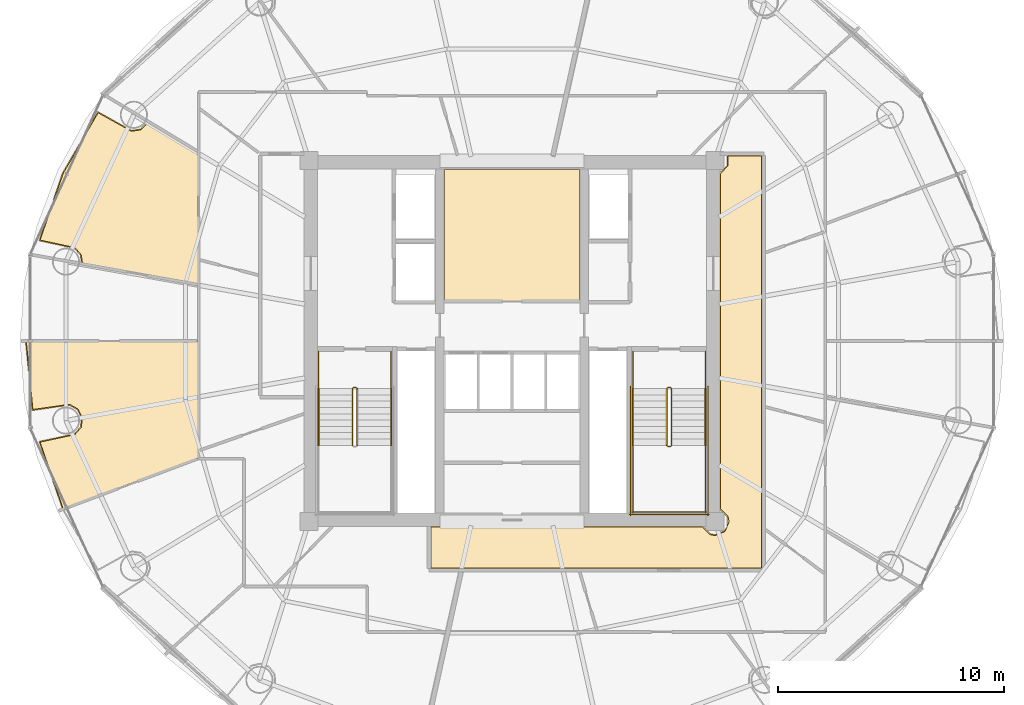
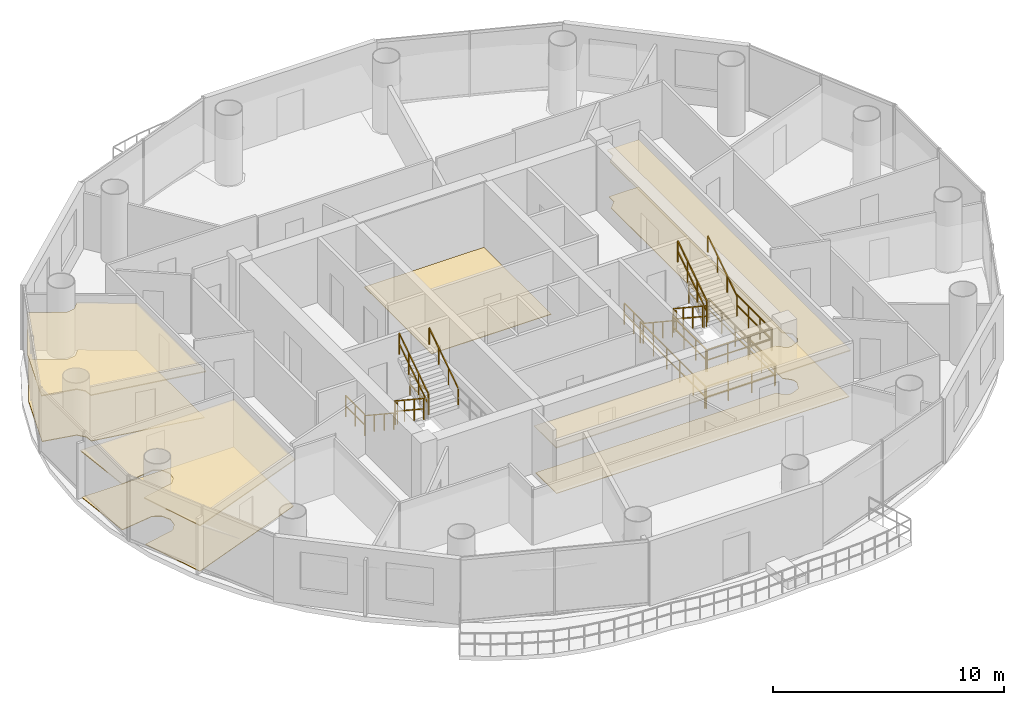
# One storey, part 25 of 26: 21 railings, 7 coverings.
"""IFC4 building model written with IfcOpenShell, lengths in metres."""

import ifcopenshell
import ifcopenshell.guid

model = None  # the IFC model being written
_history = None  # IfcOwnerHistory: only IFC2X3 demands one
_inside = {}  # id of a spatial element -> (the spatial element, [elements in it])
_under = {}  # id of a project, library or spatial element -> (it, [spatial elements below it])
_declared = {}  # id of a project -> (the project, [libraries it declares])
_typed = {}  # id of a type object -> (the type object, [elements of that type])
_made_of = {}  # id of a material, layer set ... -> (it, [elements and type objects made of it])


def new_model(schema):
    """Start an empty IFC model of exactly this schema.

    Asked for "IFC4X3", IfcOpenShell would pick the latest addendum, in which some entities
    have other attributes; the version numbers below select the first issue.
    IFC2X3 requires an IfcOwnerHistory on every rooted entity: one is made here for all.
    """
    global model, _history
    if schema == "IFC4X3":
        model = ifcopenshell.file(schema_version=(4, 3, 0, 0))
    else:
        model = ifcopenshell.file(schema=schema)
    _inside.clear()
    _under.clear()
    _declared.clear()
    _typed.clear()
    _made_of.clear()
    _history = None
    if model.schema == "IFC2X3":
        org = make("IfcOrganization", Name="unknown")
        user = make(
            "IfcPersonAndOrganization",
            ThePerson=make("IfcPerson", FamilyName="unknown"),
            TheOrganization=org,
        )
        app = make(
            "IfcApplication",
            ApplicationDeveloper=org,
            Version="unknown",
            ApplicationFullName="unknown",
            ApplicationIdentifier="unknown",
        )
        _history = make(
            "IfcOwnerHistory",
            OwningUser=user,
            OwningApplication=app,
            ChangeAction="ADDED",
            CreationDate=0,
        )
    return model


def make(cls, **values):
    """One entity of the class cls with the attributes given. An attribute that is None is left unset."""
    return model.create_entity(
        cls, **{name: value for name, value in values.items() if value is not None}
    )


def rooted(cls, **values):
    """An entity with a GlobalId (a new one), such as an element, a storey or a relation."""
    return make(cls, GlobalId=ifcopenshell.guid.new(), OwnerHistory=_history, **values)


def si_unit(unit_type, name, prefix=None):
    """IfcSIUnit, for example si_unit("LENGTHUNIT", "METRE", prefix="MILLI")."""
    return make("IfcSIUnit", UnitType=unit_type, Prefix=prefix, Name=name)


def assignment(units):
    """IfcUnitAssignment: the units of a project."""
    return None if units is None else make("IfcUnitAssignment", Units=units)


def point(xyz):
    """IfcCartesianPoint."""
    return None if xyz is None else make("IfcCartesianPoint", Coordinates=xyz)


def direction(xyz):
    """IfcDirection."""
    return None if xyz is None else make("IfcDirection", DirectionRatios=xyz)


def frame(location, z_axis=None, x_axis=None):
    """IfcAxis2Placement3D, a coordinate frame: its origin and axes. An axis left out is left unset."""
    return make(
        "IfcAxis2Placement3D",
        Location=point(location),
        Axis=direction(z_axis),
        RefDirection=direction(x_axis),
    )


def frame_2d(location, x_axis=None):
    """IfcAxis2Placement2D, a coordinate frame in the plane: its origin and x axis."""
    return make(
        "IfcAxis2Placement2D", Location=point(location), RefDirection=direction(x_axis)
    )


def origin():
    """The frame at (0, 0, 0) with its axes left unset."""
    return frame((0.0, 0.0, 0.0))


def origin_2d():
    """The frame at (0, 0) in the plane with its x axis left unset."""
    return frame_2d((0.0, 0.0))


def place(relative_to, where):
    """IfcLocalPlacement: puts the frame where relative to a parent placement (None: the world)."""
    return make(
        "IfcLocalPlacement", PlacementRelTo=relative_to, RelativePlacement=where
    )


def context(
    kind, dimensions, precision=None, world=None, true_north=None, identifier=None
):
    """IfcGeometricRepresentationContext, for example the 3D "Model" context."""
    return make(
        "IfcGeometricRepresentationContext",
        ContextIdentifier=identifier,
        ContextType=kind,
        CoordinateSpaceDimension=dimensions,
        Precision=precision,
        WorldCoordinateSystem=world,
        TrueNorth=true_north,
    )


def subcontext(parent, identifier, kind, view, scale=None):
    """IfcGeometricRepresentationSubContext, for example "Body" below "Model"."""
    return make(
        "IfcGeometricRepresentationSubContext",
        ContextIdentifier=identifier,
        ContextType=kind,
        ParentContext=parent,
        TargetScale=scale,
        TargetView=view,
    )


def project(units=None, contexts=None):
    """IfcProject with its units and contexts."""
    return rooted(
        "IfcProject",
        Name="project",
        RepresentationContexts=contexts,
        UnitsInContext=assignment(units),
    )


def spatial(cls, under=None, at=None, **own):
    """A site, building, storey or space (cls), placed at a placement, below another one or the project."""
    s = rooted(cls, ObjectPlacement=at, **own)
    if under is not None:
        _under.setdefault(under.id(), (under, []))[1].append(s)
    return s


def polyline(points):
    """IfcPolyline through the points."""
    return make("IfcPolyline", Points=[point(p) for p in points])


def profile(cls, at=None, kind="AREA", **sizes):
    """A parametric profile (cls). Its sizes go by their IFC names, for example OverallWidth=200.0."""
    return make(cls, ProfileType=kind, Position=at, **sizes)


def rectangle(**sizes):
    """IfcRectangleProfileDef."""
    return profile("IfcRectangleProfileDef", **sizes)


def outline(outer, holes=None, kind="AREA"):
    """IfcArbitraryClosedProfileDef: a profile drawn as a closed curve; with holes, ...WithVoids."""
    if holes is None:
        return make("IfcArbitraryClosedProfileDef", ProfileType=kind, OuterCurve=outer)
    return make(
        "IfcArbitraryProfileDefWithVoids",
        ProfileType=kind,
        OuterCurve=outer,
        InnerCurves=holes,
    )


def extrude(swept, where, along, depth):
    """IfcExtrudedAreaSolid: the profile swept, set in the frame where, extruded along a direction by depth."""
    return make(
        "IfcExtrudedAreaSolid",
        SweptArea=swept,
        Position=where,
        ExtrudedDirection=direction(along),
        Depth=depth,
    )


def shape(context_of_items, identifier, shape_type, items):
    """IfcShapeRepresentation: the items that make up one representation, for example the "Body"."""
    return make(
        "IfcShapeRepresentation",
        ContextOfItems=context_of_items,
        RepresentationIdentifier=identifier,
        RepresentationType=shape_type,
        Items=items,
    )


def material(Name=None, Category=None):
    """IfcMaterial."""
    return make("IfcMaterial", Name=Name, Category=Category)


def layer(
    of_material, thickness, ventilated=None, Name=None, Category=None, Priority=None
):
    """IfcMaterialLayer: one layer of a wall or slab, of a material (None: an air gap)."""
    return make(
        "IfcMaterialLayer",
        Material=of_material,
        LayerThickness=thickness,
        IsVentilated=ventilated,
        Name=Name,
        Category=Category,
        Priority=Priority,
    )


def layer_set(layers, Name=None):
    """IfcMaterialLayerSet."""
    return make("IfcMaterialLayerSet", MaterialLayers=layers, LayerSetName=Name)


def made_of(thing, what):
    """Note that an element or type object is made of a material, layer set ...; save() writes the relation."""
    if what is not None:
        _made_of.setdefault(what.id(), (what, []))[1].append(thing)
    return thing


def type_object(cls, material=None, **own):
    """A type object (cls), such as IfcWallType, which elements share."""
    return made_of(rooted(cls, **own), material)


def element(
    cls,
    number,
    at=None,
    inside=None,
    cuts=None,
    type_object=None,
    material=None,
    context=None,
    identifier="Body",
    shape_type=None,
    held_by="IfcProductDefinitionShape",
    body=None,
    shapes=None,
    **own,
):
    """One element of the class cls, such as IfcWall. Its Tag is "e" and its number.

    at: its placement. inside: the storey or other place that contains it. cuts: it is an
    opening in that element (IfcRelVoidsElement). A single representation is given by context,
    identifier, shape_type and body (its items); several are given by shapes. held_by: the class
    of the entity that holds the representations. save() writes the other relations.
    """
    e = rooted(cls, Tag="e%d" % number, ObjectPlacement=at, **own)
    if body is not None:
        shapes = [shape(context, identifier, shape_type, body)]
    if shapes is not None:
        e.Representation = make(held_by, Representations=shapes)
    if inside is not None:
        _inside.setdefault(inside.id(), (inside, []))[1].append(e)
    if cuts is not None:
        rooted(
            "IfcRelVoidsElement", RelatingBuildingElement=cuts, RelatedOpeningElement=e
        )
    if type_object is not None:
        _typed.setdefault(type_object.id(), (type_object, []))[1].append(e)
    return made_of(e, material)


def aggregate(whole, parts):
    """IfcRelAggregates: a whole, such as a stair, and the parts it consists of."""
    return rooted("IfcRelAggregates", RelatingObject=whole, RelatedObjects=parts)


def save(model, path):
    """Write the relations noted so far, then the file.

    IfcRelAggregates (storeys below a building ...), IfcRelContainedInSpatialStructure (elements
    in a storey), IfcRelDefinesByType, IfcRelAssociatesMaterial and IfcRelDeclares: one each for
    every whole, place, type object, material and project.
    """
    for whole, parts in _under.values():
        aggregate(whole, parts)
    for where, things in _inside.values():
        rooted(
            "IfcRelContainedInSpatialStructure",
            RelatedElements=things,
            RelatingStructure=where,
        )
    for kind, things in _typed.values():
        rooted("IfcRelDefinesByType", RelatedObjects=things, RelatingType=kind)
    for what, things in _made_of.values():
        rooted("IfcRelAssociatesMaterial", RelatedObjects=things, RelatingMaterial=what)
    for by, libraries in _declared.values():
        rooted("IfcRelDeclares", RelatingContext=by, RelatedDefinitions=libraries)
    model.write(path)


model = new_model("IFC4")

# Units and contexts
model_context = context("Model", 3, precision=1e-05, world=origin(), true_north=direction((-0.2419218956, 0.970295726276)))
body_context = subcontext(model_context, "Body", "Model", "MODEL_VIEW")
ifc_project = project(units=[si_unit("LENGTHUNIT", "METRE"), si_unit("AREAUNIT", "SQUARE_METRE"), si_unit("VOLUMEUNIT", "CUBIC_METRE"), si_unit("PLANEANGLEUNIT", "RADIAN"), si_unit("MASSUNIT", "GRAM", prefix="KILO")], contexts=[model_context])

# Site, building, storey
site_placement = place(None, origin())
site = spatial("IfcSite", under=ifc_project, at=site_placement, CompositionType="ELEMENT")
building_placement = place(site_placement, origin())
building = spatial("IfcBuilding", under=site, at=building_placement, Name="Cobrevalo Terracotta Tower", CompositionType="ELEMENT")
storey_placement = place(building_placement, frame((0.0, 0.0, 231.89990234375)))
storey = spatial("IfcBuildingStorey", under=building, at=storey_placement, Name="L61", CompositionType="ELEMENT", Elevation=231.89990234375)

# Coverings
ifc_material_1 = material(Name="Engineered Brazilian hardwood flooring", Category="wood")
ifc_layer_1 = layer(ifc_material_1, 0.028076171875)
ifc_layer_set_1 = layer_set([ifc_layer_1], Name="Engineered Brazilian hardwood flooring")
covering_type_1 = type_object("IfcCoveringType", Name="Engineered Hardwood Suite Flooring 28", PredefinedType="FLOORING", material=ifc_layer_set_1)
covering_1_placement = place(storey_placement, origin())
element("IfcCovering", 1, at=covering_1_placement, inside=storey, type_object=covering_type_1, Name="Flat L61A Principal Guest Bedroom floor finish", PredefinedType="FLOORING", context=body_context, shape_type="SweptSolid", body=[
    extrude(outline(polyline([(18.117919921875, 34.23095703125), (19.662109375, 36.91357421875), (21.1376953125, 36.095947265625), (21.562744140625, 36.1591796875), (21.903564453125, 36.495849609375), (24.094970703125, 35.172607421875), (24.094970703125, 29.31982421875), (18.9697265625, 30.240966796875), (18.9150390625, 30.6181640625), (18.635986328125, 30.94482421875), (17.09228515625, 31.277099609375), (18.117919921875, 34.23095703125)])), origin(), (0.0, 0.0, 1.0), 0.030029296875),
])
covering_2_placement = place(storey_placement, origin())
element("IfcCovering", 2, at=covering_2_placement, inside=storey, type_object=covering_type_1, Name="Flat L61A Principal Guest Bedroom floor finish", PredefinedType="FLOORING", context=body_context, shape_type="SweptSolid", body=[
    extrude(outline(polyline([(18.114501953125, 19.3779296875), (17.09228515625, 22.322998046875), (18.635986328125, 22.655029296875), (18.9150390625, 22.981689453125), (18.9658203125, 23.408447265625), (18.770751953125, 23.791259765625), (18.39599609375, 24.00146484375), (16.7734375, 23.76953125), (16.4814453125, 26.780029296875), (24.094970703125, 26.780029296875), (24.094970703125, 21.616455078125), (18.114501953125, 19.3779296875)])), origin(), (0.0, 0.0, 1.0), 0.030029296875),
])
ifc_material_2 = material(Name="Honed terracotta and granite tile", Category="masonry")
ifc_layer_2 = layer(ifc_material_2, 0.034912109375)
ifc_layer_set_2 = layer_set([ifc_layer_2], Name="Honed terracotta and granite tile")
covering_type_2 = type_object("IfcCoveringType", Name="Honed Terracotta & Granite Interior Flooring 35", PredefinedType="FLOORING", material=ifc_layer_set_2)
covering_3_placement = place(storey_placement, origin())
element("IfcCovering", 3, at=covering_3_placement, inside=storey, type_object=covering_type_2, Name="Floor Electrical Switchroom floor finish", PredefinedType="FLOORING", context=body_context, shape_type="SweptSolid", body=[
    extrude(outline(polyline([(35.010009765625, 34.405029296875), (40.989990234375, 34.405029296875), (40.989990234375, 28.580078125), (35.010009765625, 28.580078125), (35.010009765625, 34.405029296875)])), origin(), (0.0, 0.0, 1.0), 0.030029296875),
])
covering_4_placement = place(storey_placement, origin())
element("IfcCovering", 4, at=covering_4_placement, inside=storey, type_object=covering_type_2, Name="L61 Residential Floor Corridor 1 floor finish", PredefinedType="FLOORING", context=body_context, shape_type="SweptSolid", body=[
    extrude(outline(polyline([(34.419921875, 18.554931640625), (46.431884765625, 18.554931640625), (46.7626953125, 18.226806640625), (47.0, 18.1796875), (47.438720703125, 18.361328125), (47.620361328125, 18.800048828125), (47.5732421875, 19.037353515625), (47.2451171875, 19.3681640625), (47.2451171875, 34.23193359375), (47.5732421875, 34.5625), (47.57958984375, 35.0048828125), (49.054931640625, 35.0048828125), (49.054931640625, 16.7451171875), (34.419921875, 16.7451171875), (34.419921875, 18.554931640625)])), origin(), (0.0, 0.0, 1.0), 0.030029296875),
])
ifc_material_3 = material(Name="Acoustic perforated gypsum ceiling", Category="gypsum")
ifc_layer_3 = layer(ifc_material_3, 0.050048828125)
ifc_layer_set_3 = layer_set([ifc_layer_3], Name="Acoustic perforated gypsum ceiling")
covering_type_3 = type_object("IfcCoveringType", Name="Perforated Acoustic Gypsum Ceiling 50", PredefinedType="CEILING", material=ifc_layer_set_3)
covering_5_placement = place(storey_placement, frame((0.0, 0.0, 2.445068359375)))
element("IfcCovering", 5, at=covering_5_placement, inside=storey, type_object=covering_type_3, Name="L61 Residential Floor Corridor 1 acoustic ceiling", PredefinedType="CEILING", context=body_context, shape_type="SweptSolid", body=[
    extrude(outline(polyline([(34.375, 18.60009765625), (46.4560546875, 18.60009765625), (46.780029296875, 18.269287109375), (47.0, 18.2255859375), (47.40625, 18.393798828125), (47.53076171875, 18.580078125), (47.53076171875, 19.019775390625), (47.199951171875, 19.343994140625), (47.199951171875, 34.255859375), (47.53076171875, 34.580078125), (47.524658203125, 35.050048828125), (49.10009765625, 35.050048828125), (49.10009765625, 16.699951171875), (34.375, 16.699951171875), (34.375, 18.60009765625)])), origin(), (0.0, 0.0, 1.0), 0.050048828125),
])
covering_6_placement = place(storey_placement, frame((0.0, 0.0, 2.445068359375)))
element("IfcCovering", 6, at=covering_6_placement, inside=storey, type_object=covering_type_3, Name="Flat L61A Principal Guest Bedroom acoustic ceiling", PredefinedType="CEILING", context=body_context, shape_type="SweptSolid", body=[
    extrude(outline(polyline([(18.076904296875, 34.249755859375), (19.650146484375, 36.97314453125), (21.144287109375, 36.140625), (21.54345703125, 36.199951171875), (21.884033203125, 36.56005859375), (24.139892578125, 35.197998046875), (24.139892578125, 29.265869140625), (18.921630859375, 30.203857421875), (18.873779296875, 30.60009765625), (18.611572265625, 30.90673828125), (17.038330078125, 31.240966796875), (18.076904296875, 34.249755859375)])), origin(), (0.0, 0.0, 1.0), 0.050048828125),
])
covering_7_placement = place(storey_placement, frame((0.0, 0.0, 2.445068359375)))
element("IfcCovering", 7, at=covering_7_placement, inside=storey, type_object=covering_type_3, Name="Flat L61A Principal Guest Bedroom acoustic ceiling", PredefinedType="CEILING", context=body_context, shape_type="SweptSolid", body=[
    extrude(outline(polyline([(18.088134765625, 19.320068359375), (17.038330078125, 22.359130859375), (18.611572265625, 22.693359375), (18.873779296875, 23.0), (18.92138671875, 23.400634765625), (18.73828125, 23.760009765625), (18.386474609375, 23.957275390625), (16.73876953125, 23.717529296875), (16.43310546875, 26.824951171875), (24.139892578125, 26.824951171875), (24.139892578125, 21.58544921875), (18.088134765625, 19.320068359375)])), origin(), (0.0, 0.0, 1.0), 0.050048828125),
])

# Railings
ifc_material_4 = material(Name="Brushed stainless steel", Category="steel")
railing_type_1 = type_object("IfcRailingType", Name="Stainless Steel Stair Handrail 900", PredefinedType="HANDRAIL", material=ifc_material_4)
railing_1_placement = place(storey_placement, frame((29.425048828125, 24.699951171875, 0.18505859375)))
element("IfcRailing", 8, at=railing_1_placement, inside=storey, type_object=railing_type_1, Name="L61 ST-1 stair handrail 1", PredefinedType="HANDRAIL", context=body_context, shape_type="SweptSolid", body=[
    extrude(rectangle(XDim=0.048095703125, YDim=0.048095703125, at=origin_2d()), frame((0.0, 0.0, 0.8759765625), z_axis=(0.0, -0.834331337432, 0.55126329406), x_axis=(1.0, 0.0, 0.0)), (0.0, 0.0, 1.0), 3.0205078125),
    extrude(rectangle(XDim=0.0419921875, YDim=0.0419921875, at=origin_2d()), origin(), (0.0, 0.0, 1.0), 0.851806640625),
    extrude(rectangle(XDim=0.0419921875, YDim=0.0419921875, at=origin_2d()), frame((0.0, -0.840087890625, 0.554931640625)), (0.0, 0.0, 1.0), 0.851806640625),
    extrude(rectangle(XDim=0.0419921875, YDim=0.0419921875, at=origin_2d()), frame((0.0, -1.679931640625, 1.110107421875)), (0.0, 0.0, 1.0), 0.851806640625),
    extrude(rectangle(XDim=0.0419921875, YDim=0.0419921875, at=origin_2d()), frame((0.0, -2.52001953125, 1.6650390625)), (0.0, 0.0, 1.0), 0.851806640625),
])
railing_2_placement = place(storey_placement, frame((32.64501953125, 22.179931640625, 2.03515625)))
element("IfcRailing", 9, at=railing_2_placement, inside=storey, type_object=railing_type_1, Name="L61 ST-1 stair handrail 2", PredefinedType="HANDRAIL", context=body_context, shape_type="SweptSolid", body=[
    extrude(rectangle(XDim=0.048095703125, YDim=0.048095703125, at=origin_2d()), frame((0.0, 0.0, 0.8759765625), z_axis=(0.0, 0.834331337432, 0.55126329406), x_axis=(-1.0, 0.0, 0.0)), (0.0, 0.0, 1.0), 3.0205078125),
    extrude(rectangle(XDim=0.0419921875, YDim=0.0419921875, at=origin_2d()), origin(), (0.0, 0.0, 1.0), 0.851806640625),
    extrude(rectangle(XDim=0.0419921875, YDim=0.0419921875, at=origin_2d()), frame((0.0, 0.840087890625, 0.554931640625)), (0.0, 0.0, 1.0), 0.851806640625),
    extrude(rectangle(XDim=0.0419921875, YDim=0.0419921875, at=origin_2d()), frame((0.0, 1.679931640625, 1.110107421875)), (0.0, 0.0, 1.0), 0.851806640625),
    extrude(rectangle(XDim=0.0419921875, YDim=0.0419921875, at=origin_2d()), frame((0.0, 2.52001953125, 1.6650390625)), (0.0, 0.0, 1.0), 0.851806640625),
])
railing_3_placement = place(storey_placement, frame((43.35498046875, 24.699951171875, 0.18505859375)))
element("IfcRailing", 10, at=railing_3_placement, inside=storey, type_object=railing_type_1, Name="L61 ST-2 stair handrail 1", PredefinedType="HANDRAIL", context=body_context, shape_type="SweptSolid", body=[
    extrude(rectangle(XDim=0.048095703125, YDim=0.048095703125, at=origin_2d()), frame((0.0, 0.0, 0.8759765625), z_axis=(0.0, -0.834331337432, 0.55126329406), x_axis=(1.0, 0.0, 0.0)), (0.0, 0.0, 1.0), 3.0205078125),
    extrude(rectangle(XDim=0.0419921875, YDim=0.0419921875, at=origin_2d()), origin(), (0.0, 0.0, 1.0), 0.851806640625),
    extrude(rectangle(XDim=0.0419921875, YDim=0.0419921875, at=origin_2d()), frame((0.0, -0.840087890625, 0.554931640625)), (0.0, 0.0, 1.0), 0.851806640625),
    extrude(rectangle(XDim=0.0419921875, YDim=0.0419921875, at=origin_2d()), frame((0.0, -1.679931640625, 1.110107421875)), (0.0, 0.0, 1.0), 0.851806640625),
    extrude(rectangle(XDim=0.0419921875, YDim=0.0419921875, at=origin_2d()), frame((0.0, -2.52001953125, 1.6650390625)), (0.0, 0.0, 1.0), 0.851806640625),
])
railing_4_placement = place(storey_placement, frame((46.574951171875, 22.179931640625, 2.03515625)))
element("IfcRailing", 11, at=railing_4_placement, inside=storey, type_object=railing_type_1, Name="L61 ST-2 stair handrail 2", PredefinedType="HANDRAIL", context=body_context, shape_type="SweptSolid", body=[
    extrude(rectangle(XDim=0.048095703125, YDim=0.048095703125, at=origin_2d()), frame((0.0, 0.0, 0.8759765625), z_axis=(0.0, 0.834331337432, 0.55126329406), x_axis=(-1.0, 0.0, 0.0)), (0.0, 0.0, 1.0), 3.0205078125),
    extrude(rectangle(XDim=0.0419921875, YDim=0.0419921875, at=origin_2d()), origin(), (0.0, 0.0, 1.0), 0.851806640625),
    extrude(rectangle(XDim=0.0419921875, YDim=0.0419921875, at=origin_2d()), frame((0.0, 0.840087890625, 0.554931640625)), (0.0, 0.0, 1.0), 0.851806640625),
    extrude(rectangle(XDim=0.0419921875, YDim=0.0419921875, at=origin_2d()), frame((0.0, 1.679931640625, 1.110107421875)), (0.0, 0.0, 1.0), 0.851806640625),
    extrude(rectangle(XDim=0.0419921875, YDim=0.0419921875, at=origin_2d()), frame((0.0, 2.52001953125, 1.6650390625)), (0.0, 0.0, 1.0), 0.851806640625),
])
ifc_material_5 = material(Name="Painted galvanized steel", Category="steel")
railing_type_2 = type_object("IfcRailingType", Name="Stair Well Guard Balustrade 1150", PredefinedType="GUARDRAIL", material=ifc_material_5)
railing_5_placement = place(storey_placement, frame((30.925048828125, 24.699951171875, 0.18505859375)))
element("IfcRailing", 12, at=railing_5_placement, inside=storey, type_object=railing_type_2, Name="L61 ST-1 stair guard 1", PredefinedType="GUARDRAIL", context=body_context, shape_type="SweptSolid", body=[
    extrude(rectangle(XDim=0.048095703125, YDim=0.048095703125, at=origin_2d()), frame((0.0, 0.0, 1.1259765625), z_axis=(0.0, -0.834331337432, 0.55126329406), x_axis=(1.0, 0.0, 0.0)), (0.0, 0.0, 1.0), 3.0205078125),
    extrude(rectangle(XDim=0.048095703125, YDim=0.048095703125, at=origin_2d()), frame((0.0, 0.0, 0.574951171875), z_axis=(0.0, -0.834331337432, 0.55126329406), x_axis=(1.0, 0.0, 0.0)), (0.0, 0.0, 1.0), 3.0205078125),
    extrude(rectangle(XDim=0.0419921875, YDim=0.0419921875, at=origin_2d()), origin(), (0.0, 0.0, 1.0), 1.101806640625),
    extrude(rectangle(XDim=0.0419921875, YDim=0.0419921875, at=origin_2d()), frame((0.0, -0.840087890625, 0.554931640625)), (0.0, 0.0, 1.0), 1.101806640625),
    extrude(rectangle(XDim=0.0419921875, YDim=0.0419921875, at=origin_2d()), frame((0.0, -1.679931640625, 1.110107421875)), (0.0, 0.0, 1.0), 1.101806640625),
    extrude(rectangle(XDim=0.0419921875, YDim=0.0419921875, at=origin_2d()), frame((0.0, -2.52001953125, 1.6650390625)), (0.0, 0.0, 1.0), 1.101806640625),
])
railing_6_placement = place(storey_placement, frame((31.14501953125, 22.179931640625, 2.03515625)))
element("IfcRailing", 13, at=railing_6_placement, inside=storey, type_object=railing_type_2, Name="L61 ST-1 stair guard 6", PredefinedType="GUARDRAIL", context=body_context, shape_type="SweptSolid", body=[
    extrude(rectangle(XDim=0.048095703125, YDim=0.048095703125, at=origin_2d()), frame((0.0, 0.0, 1.1259765625), z_axis=(0.0, 0.834331337432, 0.55126329406), x_axis=(-1.0, 0.0, 0.0)), (0.0, 0.0, 1.0), 3.0205078125),
    extrude(rectangle(XDim=0.048095703125, YDim=0.048095703125, at=origin_2d()), frame((0.0, 0.0, 0.574951171875), z_axis=(0.0, 0.834331337432, 0.55126329406), x_axis=(-1.0, 0.0, 0.0)), (0.0, 0.0, 1.0), 3.0205078125),
    extrude(rectangle(XDim=0.0419921875, YDim=0.0419921875, at=origin_2d()), origin(), (0.0, 0.0, 1.0), 1.101806640625),
    extrude(rectangle(XDim=0.0419921875, YDim=0.0419921875, at=origin_2d()), frame((0.0, 0.840087890625, 0.554931640625)), (0.0, 0.0, 1.0), 1.101806640625),
    extrude(rectangle(XDim=0.0419921875, YDim=0.0419921875, at=origin_2d()), frame((0.0, 1.679931640625, 1.110107421875)), (0.0, 0.0, 1.0), 1.101806640625),
    extrude(rectangle(XDim=0.0419921875, YDim=0.0419921875, at=origin_2d()), frame((0.0, 2.52001953125, 1.6650390625)), (0.0, 0.0, 1.0), 1.101806640625),
])
railing_7_placement = place(storey_placement, frame((30.97509765625, 24.75, 0.0)))
element("IfcRailing", 14, at=railing_7_placement, inside=storey, type_object=railing_type_2, Name="L61 ST-1 stair guard 7", PredefinedType="GUARDRAIL", context=body_context, shape_type="SweptSolid", body=[
    extrude(rectangle(XDim=0.048095703125, YDim=0.048095703125, at=origin_2d()), frame((0.0, 0.0, 1.1259765625), z_axis=(1.0, 0.0, 0.0), x_axis=(0.0, 1.0, 0.0)), (0.0, 0.0, 1.0), 0.119873046875),
    extrude(rectangle(XDim=0.048095703125, YDim=0.048095703125, at=origin_2d()), frame((0.0, 0.0, 0.574951171875), z_axis=(1.0, 0.0, 0.0), x_axis=(0.0, 1.0, 0.0)), (0.0, 0.0, 1.0), 0.119873046875),
    extrude(rectangle(XDim=0.0419921875, YDim=0.0419921875, at=origin_2d()), origin(), (0.0, 0.0, 1.0), 1.101806640625),
    extrude(rectangle(XDim=0.0419921875, YDim=0.0419921875, at=origin_2d()), frame((0.119873046875, 0.0, 0.0)), (0.0, 0.0, 1.0), 1.101806640625),
])
for number, where, name in (
    (15, (29.425048828125, 26.35009765625, 0.0), "L61 ST-1 stair guard 8"),
    (16, (32.64501953125, 26.35009765625, 0.0), "L61 ST-1 stair guard 9"),
):
    element("IfcRailing", number, at=place(storey_placement, frame(where)), inside=storey, type_object=railing_type_2, Name=name, PredefinedType="GUARDRAIL", context=body_context, shape_type="SweptSolid", body=[
        extrude(rectangle(XDim=0.048095703125, YDim=0.048095703125, at=origin_2d()), frame((0.0, 0.0, 1.1259765625), z_axis=(0.0, -1.0, 0.0), x_axis=(1.0, 0.0, 0.0)), (0.0, 0.0, 1.0), 1.650146484375),
        extrude(rectangle(XDim=0.048095703125, YDim=0.048095703125, at=origin_2d()), frame((0.0, 0.0, 0.574951171875), z_axis=(0.0, -1.0, 0.0), x_axis=(1.0, 0.0, 0.0)), (0.0, 0.0, 1.0), 1.650146484375),
        extrude(rectangle(XDim=0.0419921875, YDim=0.0419921875, at=origin_2d()), origin(), (0.0, 0.0, 1.0), 1.101806640625),
        extrude(rectangle(XDim=0.0419921875, YDim=0.0419921875, at=origin_2d()), frame((0.0, -0.8251953125, 0.0)), (0.0, 0.0, 1.0), 1.101806640625),
        extrude(rectangle(XDim=0.0419921875, YDim=0.0419921875, at=origin_2d()), frame((0.0, -1.650146484375, 0.0)), (0.0, 0.0, 1.0), 1.101806640625),
    ])
railing_8_placement = place(storey_placement, frame((44.85498046875, 24.699951171875, 0.18505859375)))
element("IfcRailing", 17, at=railing_8_placement, inside=storey, type_object=railing_type_2, Name="L61 ST-2 stair guard 1", PredefinedType="GUARDRAIL", context=body_context, shape_type="SweptSolid", body=[
    extrude(rectangle(XDim=0.048095703125, YDim=0.048095703125, at=origin_2d()), frame((0.0, 0.0, 1.1259765625), z_axis=(0.0, -0.834331337432, 0.55126329406), x_axis=(1.0, 0.0, 0.0)), (0.0, 0.0, 1.0), 3.0205078125),
    extrude(rectangle(XDim=0.048095703125, YDim=0.048095703125, at=origin_2d()), frame((0.0, 0.0, 0.574951171875), z_axis=(0.0, -0.834331337432, 0.55126329406), x_axis=(1.0, 0.0, 0.0)), (0.0, 0.0, 1.0), 3.0205078125),
    extrude(rectangle(XDim=0.0419921875, YDim=0.0419921875, at=origin_2d()), origin(), (0.0, 0.0, 1.0), 1.101806640625),
    extrude(rectangle(XDim=0.0419921875, YDim=0.0419921875, at=origin_2d()), frame((0.0, -0.840087890625, 0.554931640625)), (0.0, 0.0, 1.0), 1.101806640625),
    extrude(rectangle(XDim=0.0419921875, YDim=0.0419921875, at=origin_2d()), frame((0.0, -1.679931640625, 1.110107421875)), (0.0, 0.0, 1.0), 1.101806640625),
    extrude(rectangle(XDim=0.0419921875, YDim=0.0419921875, at=origin_2d()), frame((0.0, -2.52001953125, 1.6650390625)), (0.0, 0.0, 1.0), 1.101806640625),
])
railing_9_placement = place(storey_placement, frame((44.905029296875, 22.1298828125, 1.85009765625)))
element("IfcRailing", 18, at=railing_9_placement, inside=storey, type_object=railing_type_2, Name="L61 ST-2 stair guard 2", PredefinedType="GUARDRAIL", context=body_context, shape_type="SweptSolid", body=[
    extrude(rectangle(XDim=0.048095703125, YDim=0.048095703125, at=origin_2d()), frame((0.0, 0.0, 1.1259765625), z_axis=(1.0, 0.0, 0.0), x_axis=(0.0, 1.0, 0.0)), (0.0, 0.0, 1.0), 0.119873046875),
    extrude(rectangle(XDim=0.048095703125, YDim=0.048095703125, at=origin_2d()), frame((0.0, 0.0, 0.574951171875), z_axis=(1.0, 0.0, 0.0), x_axis=(0.0, 1.0, 0.0)), (0.0, 0.0, 1.0), 0.119873046875),
    extrude(rectangle(XDim=0.0419921875, YDim=0.0419921875, at=origin_2d()), origin(), (0.0, 0.0, 1.0), 1.101806640625),
    extrude(rectangle(XDim=0.0419921875, YDim=0.0419921875, at=origin_2d()), frame((0.119873046875, 0.0, 0.0)), (0.0, 0.0, 1.0), 1.101806640625),
])
for number, where, name in (
    (19, (43.35498046875, 22.179931640625, 1.85009765625), "L61 ST-2 stair guard 3"),
    (20, (46.574951171875, 22.179931640625, 1.85009765625), "L61 ST-2 stair guard 4"),
):
    element("IfcRailing", number, at=place(storey_placement, frame(where)), inside=storey, type_object=railing_type_2, Name=name, PredefinedType="GUARDRAIL", context=body_context, shape_type="SweptSolid", body=[
        extrude(rectangle(XDim=0.048095703125, YDim=0.048095703125, at=origin_2d()), frame((0.0, 0.0, 1.1259765625), z_axis=(0.0, -1.0, 0.0), x_axis=(1.0, 0.0, 0.0)), (0.0, 0.0, 1.0), 3.0048828125),
        extrude(rectangle(XDim=0.048095703125, YDim=0.048095703125, at=origin_2d()), frame((0.0, 0.0, 0.574951171875), z_axis=(0.0, -1.0, 0.0), x_axis=(1.0, 0.0, 0.0)), (0.0, 0.0, 1.0), 3.0048828125),
        extrude(rectangle(XDim=0.0419921875, YDim=0.0419921875, at=origin_2d()), origin(), (0.0, 0.0, 1.0), 1.101806640625),
        extrude(rectangle(XDim=0.0419921875, YDim=0.0419921875, at=origin_2d()), frame((0.0, -1.001708984375, 0.0)), (0.0, 0.0, 1.0), 1.101806640625),
        extrude(rectangle(XDim=0.0419921875, YDim=0.0419921875, at=origin_2d()), frame((0.0, -2.003173828125, 0.0)), (0.0, 0.0, 1.0), 1.101806640625),
        extrude(rectangle(XDim=0.0419921875, YDim=0.0419921875, at=origin_2d()), frame((0.0, -3.0048828125, 0.0)), (0.0, 0.0, 1.0), 1.101806640625),
    ])
railing_10_placement = place(storey_placement, frame((43.304931640625, 19.22509765625, 1.85009765625)))
element("IfcRailing", 21, at=railing_10_placement, inside=storey, type_object=railing_type_2, Name="L61 ST-2 stair guard 5", PredefinedType="GUARDRAIL", context=body_context, shape_type="SweptSolid", body=[
    extrude(rectangle(XDim=0.048095703125, YDim=0.048095703125, at=origin_2d()), frame((0.0, 0.0, 1.1259765625), z_axis=(1.0, 0.0, 0.0), x_axis=(0.0, 1.0, 0.0)), (0.0, 0.0, 1.0), 3.320068359375),
    extrude(rectangle(XDim=0.048095703125, YDim=0.048095703125, at=origin_2d()), frame((0.0, 0.0, 0.574951171875), z_axis=(1.0, 0.0, 0.0), x_axis=(0.0, 1.0, 0.0)), (0.0, 0.0, 1.0), 3.320068359375),
    extrude(rectangle(XDim=0.0419921875, YDim=0.0419921875, at=origin_2d()), origin(), (0.0, 0.0, 1.0), 1.101806640625),
    extrude(rectangle(XDim=0.0419921875, YDim=0.0419921875, at=origin_2d()), frame((1.106689453125, 0.0, 0.0)), (0.0, 0.0, 1.0), 1.101806640625),
    extrude(rectangle(XDim=0.0419921875, YDim=0.0419921875, at=origin_2d()), frame((2.21337890625, 0.0, 0.0)), (0.0, 0.0, 1.0), 1.101806640625),
    extrude(rectangle(XDim=0.0419921875, YDim=0.0419921875, at=origin_2d()), frame((3.320068359375, 0.0, 0.0)), (0.0, 0.0, 1.0), 1.101806640625),
])
railing_11_placement = place(storey_placement, frame((45.074951171875, 22.179931640625, 2.03515625)))
element("IfcRailing", 22, at=railing_11_placement, inside=storey, type_object=railing_type_2, Name="L61 ST-2 stair guard 6", PredefinedType="GUARDRAIL", context=body_context, shape_type="SweptSolid", body=[
    extrude(rectangle(XDim=0.048095703125, YDim=0.048095703125, at=origin_2d()), frame((0.0, 0.0, 1.1259765625), z_axis=(0.0, 0.834331337432, 0.55126329406), x_axis=(-1.0, 0.0, 0.0)), (0.0, 0.0, 1.0), 3.0205078125),
    extrude(rectangle(XDim=0.048095703125, YDim=0.048095703125, at=origin_2d()), frame((0.0, 0.0, 0.574951171875), z_axis=(0.0, 0.834331337432, 0.55126329406), x_axis=(-1.0, 0.0, 0.0)), (0.0, 0.0, 1.0), 3.0205078125),
    extrude(rectangle(XDim=0.0419921875, YDim=0.0419921875, at=origin_2d()), origin(), (0.0, 0.0, 1.0), 1.101806640625),
    extrude(rectangle(XDim=0.0419921875, YDim=0.0419921875, at=origin_2d()), frame((0.0, 0.840087890625, 0.554931640625)), (0.0, 0.0, 1.0), 1.101806640625),
    extrude(rectangle(XDim=0.0419921875, YDim=0.0419921875, at=origin_2d()), frame((0.0, 1.679931640625, 1.110107421875)), (0.0, 0.0, 1.0), 1.101806640625),
    extrude(rectangle(XDim=0.0419921875, YDim=0.0419921875, at=origin_2d()), frame((0.0, 2.52001953125, 1.6650390625)), (0.0, 0.0, 1.0), 1.101806640625),
])
railing_12_placement = place(storey_placement, frame((44.905029296875, 24.75, 0.0)))
element("IfcRailing", 23, at=railing_12_placement, inside=storey, type_object=railing_type_2, Name="L61 ST-2 stair guard 7", PredefinedType="GUARDRAIL", context=body_context, shape_type="SweptSolid", body=[
    extrude(rectangle(XDim=0.048095703125, YDim=0.048095703125, at=origin_2d()), frame((0.0, 0.0, 1.1259765625), z_axis=(1.0, 0.0, 0.0), x_axis=(0.0, 1.0, 0.0)), (0.0, 0.0, 1.0), 0.119873046875),
    extrude(rectangle(XDim=0.048095703125, YDim=0.048095703125, at=origin_2d()), frame((0.0, 0.0, 0.574951171875), z_axis=(1.0, 0.0, 0.0), x_axis=(0.0, 1.0, 0.0)), (0.0, 0.0, 1.0), 0.119873046875),
    extrude(rectangle(XDim=0.0419921875, YDim=0.0419921875, at=origin_2d()), origin(), (0.0, 0.0, 1.0), 1.101806640625),
    extrude(rectangle(XDim=0.0419921875, YDim=0.0419921875, at=origin_2d()), frame((0.119873046875, 0.0, 0.0)), (0.0, 0.0, 1.0), 1.101806640625),
])
for number, where, name in (
    (24, (43.35498046875, 26.35009765625, 0.0), "L61 ST-2 stair guard 8"),
    (25, (46.574951171875, 26.35009765625, 0.0), "L61 ST-2 stair guard 9"),
):
    element("IfcRailing", number, at=place(storey_placement, frame(where)), inside=storey, type_object=railing_type_2, Name=name, PredefinedType="GUARDRAIL", context=body_context, shape_type="SweptSolid", body=[
        extrude(rectangle(XDim=0.048095703125, YDim=0.048095703125, at=origin_2d()), frame((0.0, 0.0, 1.1259765625), z_axis=(0.0, -1.0, 0.0), x_axis=(1.0, 0.0, 0.0)), (0.0, 0.0, 1.0), 1.650146484375),
        extrude(rectangle(XDim=0.048095703125, YDim=0.048095703125, at=origin_2d()), frame((0.0, 0.0, 0.574951171875), z_axis=(0.0, -1.0, 0.0), x_axis=(1.0, 0.0, 0.0)), (0.0, 0.0, 1.0), 1.650146484375),
        extrude(rectangle(XDim=0.0419921875, YDim=0.0419921875, at=origin_2d()), origin(), (0.0, 0.0, 1.0), 1.101806640625),
        extrude(rectangle(XDim=0.0419921875, YDim=0.0419921875, at=origin_2d()), frame((0.0, -0.8251953125, 0.0)), (0.0, 0.0, 1.0), 1.101806640625),
        extrude(rectangle(XDim=0.0419921875, YDim=0.0419921875, at=origin_2d()), frame((0.0, -1.650146484375, 0.0)), (0.0, 0.0, 1.0), 1.101806640625),
    ])
for number, where, name in (
    (26, (43.2548828125, 24.800048828125, 0.0), "L61 ST-2 stair guard 10"),
    (27, (46.675048828125, 24.800048828125, 0.0), "L61 ST-2 stair guard 11"),
):
    element("IfcRailing", number, at=place(storey_placement, frame(where)), inside=storey, type_object=railing_type_2, Name=name, PredefinedType="GUARDRAIL", context=body_context, shape_type="SweptSolid", body=[
        extrude(rectangle(XDim=0.048095703125, YDim=0.048095703125, at=origin_2d()), frame((0.0, 0.0, 1.1259765625), z_axis=(0.0, -1.0, 0.0), x_axis=(1.0, 0.0, 0.0)), (0.0, 0.0, 1.0), 5.72509765625),
        extrude(rectangle(XDim=0.048095703125, YDim=0.048095703125, at=origin_2d()), frame((0.0, 0.0, 0.574951171875), z_axis=(0.0, -1.0, 0.0), x_axis=(1.0, 0.0, 0.0)), (0.0, 0.0, 1.0), 5.72509765625),
        extrude(rectangle(XDim=0.0419921875, YDim=0.0419921875, at=origin_2d()), origin(), (0.0, 0.0, 1.0), 1.101806640625),
        extrude(rectangle(XDim=0.0419921875, YDim=0.0419921875, at=origin_2d()), frame((0.0, -1.14501953125, 0.0)), (0.0, 0.0, 1.0), 1.101806640625),
        extrude(rectangle(XDim=0.0419921875, YDim=0.0419921875, at=origin_2d()), frame((0.0, -2.2900390625, 0.0)), (0.0, 0.0, 1.0), 1.101806640625),
        extrude(rectangle(XDim=0.0419921875, YDim=0.0419921875, at=origin_2d()), frame((0.0, -3.43505859375, 0.0)), (0.0, 0.0, 1.0), 1.101806640625),
        extrude(rectangle(XDim=0.0419921875, YDim=0.0419921875, at=origin_2d()), frame((0.0, -4.580078125, 0.0)), (0.0, 0.0, 1.0), 1.101806640625),
        extrude(rectangle(XDim=0.0419921875, YDim=0.0419921875, at=origin_2d()), frame((0.0, -5.72509765625, 0.0)), (0.0, 0.0, 1.0), 1.101806640625),
    ])
railing_13_placement = place(storey_placement, frame((43.205078125, 19.125, 0.0)))
element("IfcRailing", 28, at=railing_13_placement, inside=storey, type_object=railing_type_2, Name="L61 ST-2 stair guard 12", PredefinedType="GUARDRAIL", context=body_context, shape_type="SweptSolid", body=[
    extrude(rectangle(XDim=0.048095703125, YDim=0.048095703125, at=origin_2d()), frame((0.0, 0.0, 1.1259765625), z_axis=(1.0, 0.0, 0.0), x_axis=(0.0, 1.0, 0.0)), (0.0, 0.0, 1.0), 3.52001953125),
    extrude(rectangle(XDim=0.048095703125, YDim=0.048095703125, at=origin_2d()), frame((0.0, 0.0, 0.574951171875), z_axis=(1.0, 0.0, 0.0), x_axis=(0.0, 1.0, 0.0)), (0.0, 0.0, 1.0), 3.52001953125),
    extrude(rectangle(XDim=0.0419921875, YDim=0.0419921875, at=origin_2d()), origin(), (0.0, 0.0, 1.0), 1.101806640625),
    extrude(rectangle(XDim=0.0419921875, YDim=0.0419921875, at=origin_2d()), frame((1.17333984375, 0.0, 0.0)), (0.0, 0.0, 1.0), 1.101806640625),
    extrude(rectangle(XDim=0.0419921875, YDim=0.0419921875, at=origin_2d()), frame((2.3466796875, 0.0, 0.0)), (0.0, 0.0, 1.0), 1.101806640625),
    extrude(rectangle(XDim=0.0419921875, YDim=0.0419921875, at=origin_2d()), frame((3.52001953125, 0.0, 0.0)), (0.0, 0.0, 1.0), 1.101806640625),
])

save(model, "model.ifc")
